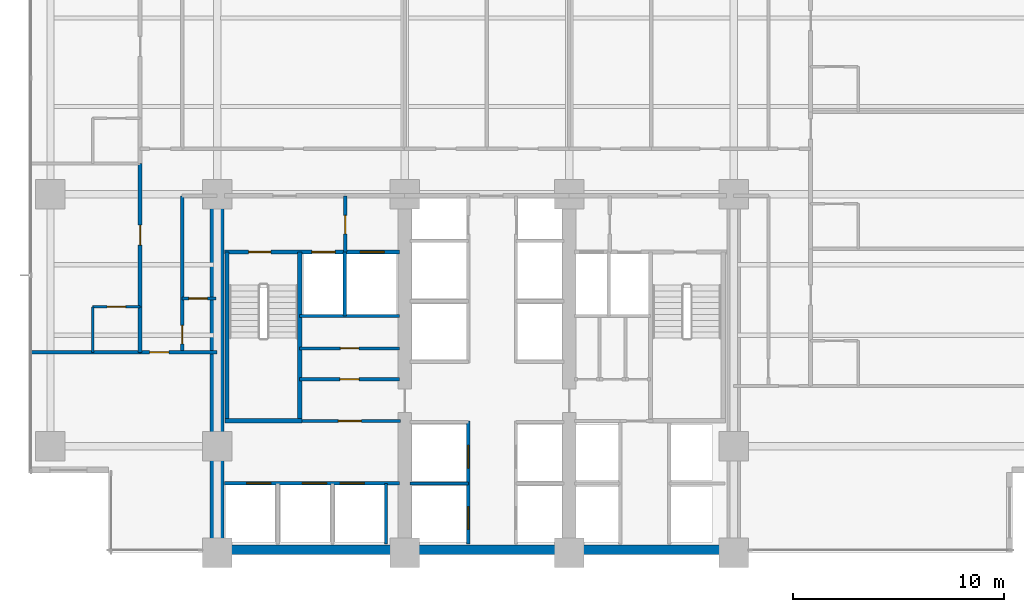
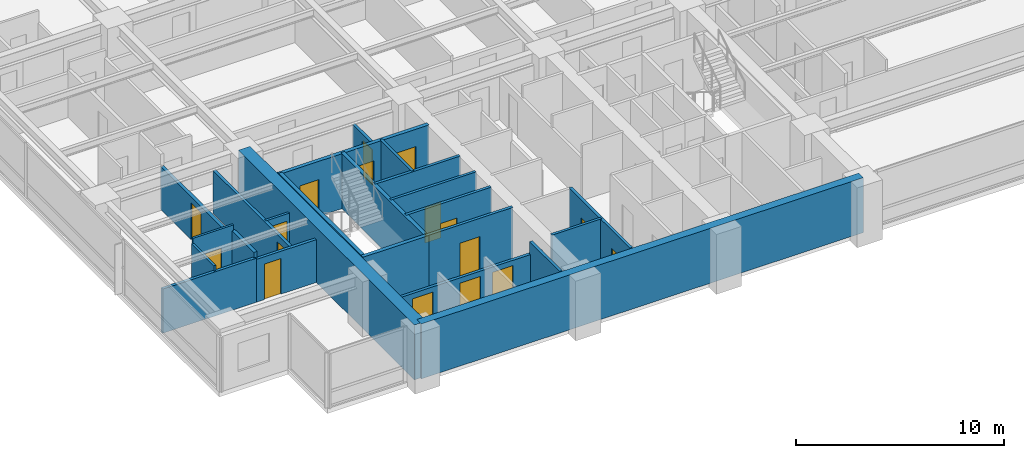
# One storey, part 7 of 16: 24 walls, 17 doors, 17 openings.
"""IFC4 building model written with IfcOpenShell, lengths in metres."""

from ifc_helpers import new_model, si_unit, direction, frame, frame_2d, origin, place, context, subcontext, project, spatial, rectangle, extrude, material, layer, layer_set, type_object, element, fill, save


model = new_model("IFC4")

# Units and contexts
model_context = context("Model", 3, precision=1e-05, world=origin(), true_north=direction((0.0, 1.0)))
body_context = subcontext(model_context, "Body", "Model", "MODEL_VIEW")
ifc_project = project(units=[si_unit("LENGTHUNIT", "METRE"), si_unit("AREAUNIT", "SQUARE_METRE"), si_unit("VOLUMEUNIT", "CUBIC_METRE"), si_unit("PLANEANGLEUNIT", "RADIAN"), si_unit("MASSUNIT", "GRAM", prefix="KILO")], contexts=[model_context])

# Site, building, storey
site_placement = place(None, origin())
site = spatial("IfcSite", under=ifc_project, at=site_placement, CompositionType="ELEMENT")
building_placement = place(site_placement, origin())
building = spatial("IfcBuilding", under=site, at=building_placement, Name="Qalmaran Belvedere Hotel", CompositionType="ELEMENT")
storey_placement = place(building_placement, frame((0.0, 0.0, 50.89990234375)))
storey = spatial("IfcBuildingStorey", under=building, at=storey_placement, Name="L12", CompositionType="ELEMENT", Elevation=50.89990234375)

# Walls
ifc_material_1 = material(Name="Concrete C60/75", Category="concrete")
ifc_layer_1 = layer(ifc_material_1, 0.64990234375, Name="Concrete C60/75")
ifc_layer_set_1 = layer_set([ifc_layer_1], Name="Concrete C60/75")
wall_type_1 = type_object("IfcWallType", Name="WL-CORE-650-C60", PredefinedType="SHEAR", material=ifc_layer_set_1)
wall_1_placement = place(storey_placement, frame((20.300048828125, 3.5, 0.0), z_axis=(0.0, 0.0, 1.0), x_axis=(0.0, 1.0, 0.0)))
element("IfcWall", 1, at=wall_1_placement, inside=storey, type_object=wall_type_1, Name="L12 West Core Shear Wall", PredefinedType="SHEAR", context=body_context, shape_type="SweptSolid", body=[
    extrude(rectangle(XDim=16.89990234375, YDim=0.64990234375, at=frame_2d((8.449951171875, 0.0))), origin(), (0.0, 0.0, 1.0), 3.22021484375),
])
ifc_material_2 = material(Name="Concrete C50/60", Category="concrete")
ifc_layer_2 = layer(ifc_material_2, 0.43994140625, Name="Concrete C50/60")
ifc_layer_set_2 = layer_set([ifc_layer_2], Name="Concrete C50/60")
wall_type_2 = type_object("IfcWallType", Name="WL-CORES-440-EXT", PredefinedType="SHEAR", material=ifc_layer_set_2)
wall_2_placement = place(storey_placement, frame((20.300048828125, 3.6298828125, 0.0), z_axis=(0.0, 0.0, 1.0), x_axis=(1.0, 0.0, 0.0)))
element("IfcWall", 2, at=wall_2_placement, inside=storey, type_object=wall_type_2, Name="L12 South Core Shear Wall", PredefinedType="SHEAR", context=body_context, shape_type="SweptSolid", body=[
    extrude(rectangle(XDim=24.5, YDim=0.43994140625, at=frame_2d((12.25, 0.0))), origin(), (0.0, 0.0, 1.0), 3.22021484375),
])

# Wall, opening, door
ifc_material_3 = material(Name="Moisture-Resistant Gypsum")
ifc_layer_3 = layer(ifc_material_3, 0.1201171875, Name="Moisture-Resistant Gypsum")
ifc_layer_set_3 = layer_set([ifc_layer_3], Name="Moisture-Resistant Gypsum")
wall_type_3 = type_object("IfcWallType", Name="WL-INT-120-BATH", PredefinedType="PARTITIONING", material=ifc_layer_set_3)
wall_3_placement = place(storey_placement, frame((14.39990234375, 15.14990234375, 0.0), z_axis=(0.0, 0.0, 1.0), x_axis=(1.0, 0.0, 0.0)))
wall_3 = element("IfcWall", 3, at=wall_3_placement, inside=storey, type_object=wall_type_3, Name="L12 Partition WL-L12-WBN00", PredefinedType="PARTITIONING", context=body_context, shape_type="SweptSolid", body=[
    extrude(rectangle(XDim=2.25, YDim=0.1201171875, at=frame_2d((1.125, 0.0))), origin(), (0.0, 0.0, 1.0), 3.22021484375),
])
opening_1_placement = place(wall_3_placement, frame((1.56494140625, 0.0, 0.0), z_axis=(0.0, 0.0, 1.0), x_axis=(-1.0, 0.0, 0.0)))
opening_1 = element("IfcOpeningElement", 4, at=opening_1_placement, cuts=wall_3, Name="Opening D-BATH", PredefinedType="OPENING", context=body_context, shape_type="SweptSolid", body=[
    extrude(rectangle(XDim=0.8798828125, YDim=2.080078125, at=frame_2d((0.43994140625, 1.0400390625))), frame((0.0, 0.070068359375, 0.0), z_axis=(0.0, -1.0, 0.0), x_axis=(1.0, 0.0, 0.0)), (0.0, 0.0, 1.0), 0.14013671875),
])
ifc_material_4 = material(Name="Engineered Oak Veneer")
door_type_1 = type_object("IfcDoorType", Name="DR-INT-BATH-880X2080", OperationType="NOTDEFINED", PredefinedType="DOOR", material=ifc_material_4)
door_1_placement = place(opening_1_placement, origin())
door_1 = element("IfcDoor", 5, at=door_1_placement, inside=storey, type_object=door_type_1, Name="L12 W Ensuite Door 01", OperationType="SINGLE_SWING_LEFT", OverallHeight=2.080078125, OverallWidth=0.8798828125, PredefinedType="DOOR", context=body_context, shape_type="SweptSolid", body=[
    extrude(rectangle(XDim=0.8798828125, YDim=2.080078125, at=frame_2d((0.43994140625, 1.0400390625))), frame((0.0, 0.02490234375, 0.0), z_axis=(0.0, -1.0, 0.0), x_axis=(1.0, 0.0, 0.0)), (0.0, 0.0, 1.0), 0.050048828125),
])
fill(opening_1, door_1)

# Wall
wall_4_placement = place(storey_placement, frame((14.39990234375, 13.0, 0.0), z_axis=(0.0, 0.0, 1.0), x_axis=(0.0, 1.0, 0.0)))
element("IfcWall", 6, at=wall_4_placement, inside=storey, type_object=wall_type_3, Name="L12 Partition WL-L12-WBS00", PredefinedType="PARTITIONING", context=body_context, shape_type="SweptSolid", body=[
    extrude(rectangle(XDim=2.14990234375, YDim=0.1201171875, at=frame_2d((1.074951171875, 0.0))), origin(), (0.0, 0.0, 1.0), 2.902099609375),
])

# Wall, opening, door
ifc_material_5 = material(Name="Gypsum Stud Partition")
ifc_layer_4 = layer(ifc_material_5, 0.139892578125, Name="Gypsum Stud Partition")
ifc_layer_set_4 = layer_set([ifc_layer_4], Name="Gypsum Stud Partition")
wall_type_4 = type_object("IfcWallType", Name="WL-INT-140-NR", PredefinedType="PARTITIONING", material=ifc_layer_set_4)
wall_5_placement = place(storey_placement, frame((18.64990234375, 15.550048828125, 0.0), z_axis=(0.0, 0.0, 1.0), x_axis=(1.0, 0.0, 0.0)))
wall_5 = element("IfcWall", 7, at=wall_5_placement, inside=storey, type_object=wall_type_4, Name="L12 Partition WL-L12-WCLSUB", PredefinedType="PARTITIONING", context=body_context, shape_type="SweptSolid", body=[
    extrude(rectangle(XDim=1.60009765625, YDim=0.139892578125, at=frame_2d((0.800048828125, 0.0))), origin(), (0.0, 0.0, 1.0), 2.510009765625),
])
opening_2_placement = place(wall_5_placement, frame((1.193115234375, 0.0, 0.0), z_axis=(0.0, 0.0, 1.0), x_axis=(-1.0, 0.0, 0.0)))
opening_2 = element("IfcOpeningElement", 8, at=opening_2_placement, cuts=wall_5, Name="Opening D-BATH", PredefinedType="OPENING", context=body_context, shape_type="SweptSolid", body=[
    extrude(rectangle(XDim=0.8798828125, YDim=2.080078125, at=frame_2d((0.43994140625, 1.0400390625))), frame((0.0, 0.080078125, 0.0), z_axis=(0.0, -1.0, 0.0), x_axis=(1.0, 0.0, 0.0)), (0.0, 0.0, 1.0), 0.159912109375),
])
door_2_placement = place(opening_2_placement, origin())
door_2 = element("IfcDoor", 9, at=door_2_placement, inside=storey, type_object=door_type_1, Name="L12 Closet Alcove Door", OperationType="SINGLE_SWING_RIGHT", OverallHeight=2.080078125, OverallWidth=0.8798828125, PredefinedType="DOOR", context=body_context, shape_type="SweptSolid", body=[
    extrude(rectangle(XDim=0.8798828125, YDim=2.080078125, at=frame_2d((0.43994140625, 1.0400390625))), frame((0.0, 0.02490234375, 0.0), z_axis=(0.0, -1.0, 0.0), x_axis=(1.0, 0.0, 0.0)), (0.0, 0.0, 1.0), 0.050048828125),
])
fill(opening_2, door_2)

# Walls
ifc_layer_5 = layer(ifc_material_5, 0.14990234375, Name="Gypsum Stud Partition")
ifc_layer_set_5 = layer_set([ifc_layer_5], Name="Gypsum Stud Partition")
wall_type_5 = type_object("IfcWallType", Name="WL-INT-150-EI120", PredefinedType="PARTITIONING", material=ifc_layer_set_5)
wall_6_placement = place(storey_placement, frame((26.360107421875, 14.719970703125, 0.0), z_axis=(0.0, 0.0, 1.0), x_axis=(0.0, 1.0, 0.0)))
element("IfcWall", 10, at=wall_6_placement, inside=storey, type_object=wall_type_5, Name="L12 Partition WL-FF1M-L12", PredefinedType="PARTITIONING", context=body_context, shape_type="SweptSolid", body=[
    extrude(rectangle(XDim=3.0400390625, YDim=0.14990234375, at=frame_2d((1.52001953125, 0.0))), origin(), (0.0, 0.0, 1.0), 3.22021484375),
])
wall_7_placement = place(storey_placement, frame((28.320068359375, 3.89990234375, 0.0), z_axis=(0.0, 0.0, 1.0), x_axis=(0.0, 1.0, 0.0)))
element("IfcWall", 11, at=wall_7_placement, inside=storey, type_object=wall_type_5, Name="L12 Partition WL-POM3-L12", PredefinedType="PARTITIONING", context=body_context, shape_type="SweptSolid", body=[
    extrude(rectangle(XDim=2.880126953125, YDim=0.14990234375, at=frame_2d((1.43994140625, 0.0))), origin(), (0.0, 0.0, 1.0), 3.22021484375),
])
wall_8_placement = place(storey_placement, frame((29.449951171875, 6.780029296875, 0.0), z_axis=(0.0, 0.0, 1.0), x_axis=(1.0, 0.0, 0.0)))
element("IfcWall", 12, at=wall_8_placement, inside=storey, type_object=wall_type_5, Name="L12 Partition WL-PLW-L12-67", PredefinedType="PARTITIONING", context=body_context, shape_type="SweptSolid", body=[
    extrude(rectangle(XDim=2.77001953125, YDim=0.14990234375, at=frame_2d((1.385009765625, 0.0))), origin(), (0.0, 0.0, 1.0), 3.22021484375),
])

# Wall, opening, door
ifc_layer_6 = layer(ifc_material_5, 0.14990234375, Name="Gypsum Stud Partition")
ifc_layer_set_6 = layer_set([ifc_layer_6], Name="Gypsum Stud Partition")
wall_type_6 = type_object("IfcWallType", Name="WL-INT-150-EI60", PredefinedType="PARTITIONING", material=ifc_layer_set_6)
wall_9_placement = place(storey_placement, frame((24.219970703125, 13.18505859375, 0.0), z_axis=(0.0, 0.0, 1.0), x_axis=(1.0, 0.0, 0.0)))
wall_9 = element("IfcWall", 13, at=wall_9_placement, inside=storey, type_object=wall_type_6, Name="L12 Partition WL-L12-KWHM", PredefinedType="PARTITIONING", context=body_context, shape_type="SweptSolid", body=[
    extrude(rectangle(XDim=4.72998046875, YDim=0.14990234375, at=frame_2d((2.364990234375, 0.0))), origin(), (0.0, 0.0, 1.0), 3.22021484375),
])
opening_3_placement = place(wall_9_placement, frame((1.925048828125, 0.0, 0.0)))
opening_3 = element("IfcOpeningElement", 14, at=opening_3_placement, cuts=wall_9, Name="Opening FD60B", PredefinedType="OPENING", context=body_context, shape_type="SweptSolid", body=[
    extrude(rectangle(XDim=0.8798828125, YDim=2.080078125, at=frame_2d((0.43994140625, 1.0400390625))), frame((0.0, 0.0849609375, 0.0), z_axis=(0.0, -1.0, 0.0), x_axis=(1.0, 0.0, 0.0)), (0.0, 0.0, 1.0), 0.169921875),
])
ifc_material_6 = material(Name="Steel S355JR", Category="steel")
door_type_2 = type_object("IfcDoorType", Name="DR-FD60B-880X2080", OperationType="NOTDEFINED", PredefinedType="DOOR", material=ifc_material_6)
door_3_placement = place(opening_3_placement, origin())
door_3 = element("IfcDoor", 15, at=door_3_placement, inside=storey, type_object=door_type_2, Name="L12 Staff Core WC Door", OperationType="SINGLE_SWING_RIGHT", OverallHeight=2.080078125, OverallWidth=0.8798828125, PredefinedType="DOOR", context=body_context, shape_type="SweptSolid", body=[
    extrude(rectangle(XDim=0.8798828125, YDim=2.080078125, at=frame_2d((0.43994140625, 1.0400390625))), frame((0.0, 0.02490234375, 0.0), z_axis=(0.0, -1.0, 0.0), x_axis=(1.0, 0.0, 0.0)), (0.0, 0.0, 1.0), 0.050048828125),
])
fill(opening_3, door_3)

ifc_layer_7 = layer(ifc_material_5, 0.159912109375, Name="Gypsum Stud Partition")
ifc_layer_set_7 = layer_set([ifc_layer_7], Name="Gypsum Stud Partition")
wall_type_7 = type_object("IfcWallType", Name="WL-INT-160-EI120", PredefinedType="PARTITIONING", material=ifc_layer_set_7)
wall_10_placement = place(storey_placement, frame((26.3798828125, 17.760009765625, 0.0), z_axis=(0.0, 0.0, 1.0), x_axis=(0.0, 1.0, 0.0)))
wall_10 = element("IfcWall", 16, at=wall_10_placement, inside=storey, type_object=wall_type_7, Name="L12 Partition WL-FFSV1-L12", PredefinedType="PARTITIONING", context=body_context, shape_type="SweptSolid", body=[
    extrude(rectangle(XDim=2.659912109375, YDim=0.159912109375, at=frame_2d((1.330078125, 0.0))), origin(), (0.0, 0.0, 1.0), 2.510009765625),
])
opening_4_placement = place(wall_10_placement, frame((0.85009765625, 0.0, 0.0)))
opening_4 = element("IfcOpeningElement", 17, at=opening_4_placement, cuts=wall_10, Name="Opening FD60B", PredefinedType="OPENING", context=body_context, shape_type="SweptSolid", body=[
    extrude(rectangle(XDim=0.8798828125, YDim=2.080078125, at=frame_2d((0.43994140625, 1.0400390625))), frame((0.0, 0.08984375, 0.0), z_axis=(0.0, -1.0, 0.0), x_axis=(1.0, 0.0, 0.0)), (0.0, 0.0, 1.0), 0.179931640625),
])
door_4_placement = place(opening_4_placement, origin())
door_4 = element("IfcDoor", 18, at=door_4_placement, inside=storey, type_object=door_type_2, Name="L12 Service Lobby West Door", OperationType="SINGLE_SWING_RIGHT", OverallHeight=2.080078125, OverallWidth=0.8798828125, PredefinedType="DOOR", context=body_context, shape_type="SweptSolid", body=[
    extrude(rectangle(XDim=0.8798828125, YDim=2.080078125, at=frame_2d((0.43994140625, 1.0400390625))), frame((0.0, 0.02490234375, 0.0), z_axis=(0.0, -1.0, 0.0), x_axis=(1.0, 0.0, 0.0)), (0.0, 0.0, 1.0), 0.050048828125),
])
fill(opening_4, door_4)

# Wall
wall_11_placement = place(storey_placement, frame((24.219970703125, 14.719970703125, 0.0), z_axis=(0.0, 0.0, 1.0), x_axis=(1.0, 0.0, 0.0)))
element("IfcWall", 19, at=wall_11_placement, inside=storey, type_object=wall_type_7, Name="L12 Partition WL-FF1S-L12", PredefinedType="PARTITIONING", context=body_context, shape_type="SweptSolid", body=[
    extrude(rectangle(XDim=4.72998046875, YDim=0.159912109375, at=frame_2d((2.364990234375, 0.0))), origin(), (0.0, 0.0, 1.0), 3.22021484375),
])

# Wall, openings, doors
wall_12_placement = place(storey_placement, frame((20.64990234375, 6.780029296875, 0.0), z_axis=(0.0, 0.0, 1.0), x_axis=(1.0, 0.0, 0.0)))
wall_12 = element("IfcWall", 20, at=wall_12_placement, inside=storey, type_object=wall_type_7, Name="L12 Partition WL-POS-L12", PredefinedType="PARTITIONING", context=body_context, shape_type="SweptSolid", body=[
    extrude(rectangle(XDim=8.300048828125, YDim=0.159912109375, at=frame_2d((4.14990234375, 0.0))), origin(), (0.0, 0.0, 1.0), 2.510009765625),
])
opening_5_placement = place(wall_12_placement, frame((3.69482421875, 0.0, 0.0)))
opening_5 = element("IfcOpeningElement", 21, at=opening_5_placement, cuts=wall_12, Name="Opening LD-PO", PredefinedType="OPENING", context=body_context, shape_type="SweptSolid", body=[
    extrude(rectangle(XDim=1.14990234375, YDim=2.199951171875, at=frame_2d((0.574951171875, 1.10009765625))), frame((0.0, 0.08984375, 0.0), z_axis=(0.0, -1.0, 0.0), x_axis=(1.0, 0.0, 0.0)), (0.0, 0.0, 1.0), 0.179931640625),
])
opening_6_placement = place(wall_12_placement, frame((5.4921875, 0.0, 0.0)))
opening_6 = element("IfcOpeningElement", 22, at=opening_6_placement, cuts=wall_12, Name="Opening LD-PO", PredefinedType="OPENING", context=body_context, shape_type="SweptSolid", body=[
    extrude(rectangle(XDim=1.14990234375, YDim=2.199951171875, at=frame_2d((0.574951171875, 1.10009765625))), frame((0.0, 0.08984375, 0.0), z_axis=(0.0, -1.0, 0.0), x_axis=(1.0, 0.0, 0.0)), (0.0, 0.0, 1.0), 0.179931640625),
])
opening_7_placement = place(wall_12_placement, frame((1.058837890625, 0.0, 0.0)))
opening_7 = element("IfcOpeningElement", 23, at=opening_7_placement, cuts=wall_12, Name="Opening LD-PO", PredefinedType="OPENING", context=body_context, shape_type="SweptSolid", body=[
    extrude(rectangle(XDim=1.14990234375, YDim=2.199951171875, at=frame_2d((0.574951171875, 1.10009765625))), frame((0.0, 0.08984375, 0.0), z_axis=(0.0, -1.0, 0.0), x_axis=(1.0, 0.0, 0.0)), (0.0, 0.0, 1.0), 0.179931640625),
])
ifc_material_7 = material(Name="Anodised Bronze Aluminium", Category="aluminium")
door_type_3 = type_object("IfcDoorType", Name="DR-LIFT-PO-1150X2200", OperationType="DOUBLE_DOOR_SLIDING", PredefinedType="DOOR", material=ifc_material_7)
door_5_placement = place(opening_5_placement, origin())
door_5 = element("IfcDoor", 24, at=door_5_placement, inside=storey, type_object=door_type_3, Name="L12 PO1 Shuttle Landing Door", OperationType="DOUBLE_DOOR_SLIDING", OverallHeight=2.199951171875, OverallWidth=1.14990234375, PredefinedType="DOOR", context=body_context, shape_type="SweptSolid", body=[
    extrude(rectangle(XDim=1.14990234375, YDim=2.199951171875, at=frame_2d((0.574951171875, 1.10009765625))), frame((0.0, 0.02490234375, 0.0), z_axis=(0.0, -1.0, 0.0), x_axis=(1.0, 0.0, 0.0)), (0.0, 0.0, 1.0), 0.050048828125),
])
fill(opening_5, door_5)
door_6_placement = place(opening_6_placement, origin())
door_6 = element("IfcDoor", 25, at=door_6_placement, inside=storey, type_object=door_type_3, Name="L12 PO2 Shuttle Landing Door", OperationType="DOUBLE_DOOR_SLIDING", OverallHeight=2.199951171875, OverallWidth=1.14990234375, PredefinedType="DOOR", context=body_context, shape_type="SweptSolid", body=[
    extrude(rectangle(XDim=1.14990234375, YDim=2.199951171875, at=frame_2d((0.574951171875, 1.10009765625))), frame((0.0, 0.02490234375, 0.0), z_axis=(0.0, -1.0, 0.0), x_axis=(1.0, 0.0, 0.0)), (0.0, 0.0, 1.0), 0.050048828125),
])
fill(opening_6, door_6)
door_7_placement = place(opening_7_placement, origin())
door_7 = element("IfcDoor", 26, at=door_7_placement, inside=storey, type_object=door_type_3, Name="L12 PO3 Shuttle Landing Door", OperationType="DOUBLE_DOOR_SLIDING", OverallHeight=2.199951171875, OverallWidth=1.14990234375, PredefinedType="DOOR", context=body_context, shape_type="SweptSolid", body=[
    extrude(rectangle(XDim=1.14990234375, YDim=2.199951171875, at=frame_2d((0.574951171875, 1.10009765625))), frame((0.0, 0.02490234375, 0.0), z_axis=(0.0, -1.0, 0.0), x_axis=(1.0, 0.0, 0.0)), (0.0, 0.0, 1.0), 0.050048828125),
])
fill(opening_7, door_7)

# Wall, opening, door
wall_13_placement = place(storey_placement, frame((24.199951171875, 9.739990234375, 0.0), z_axis=(0.0, 0.0, 1.0), x_axis=(1.0, 0.0, 0.0)))
wall_13 = element("IfcWall", 27, at=wall_13_placement, inside=storey, type_object=wall_type_7, Name="L12 Partition WL-PON-L12", PredefinedType="PARTITIONING", context=body_context, shape_type="SweptSolid", body=[
    extrude(rectangle(XDim=4.800048828125, YDim=0.159912109375, at=frame_2d((2.39990234375, 0.0))), origin(), (0.0, 0.0, 1.0), 3.22021484375),
])
opening_8_placement = place(wall_13_placement, frame((1.85009765625, 0.0, 0.0)))
opening_8 = element("IfcOpeningElement", 28, at=opening_8_placement, cuts=wall_13, Name="Opening FD90", PredefinedType="OPENING", context=body_context, shape_type="SweptSolid", body=[
    extrude(rectangle(XDim=1.10009765625, YDim=2.14990234375, at=frame_2d((0.550048828125, 1.074951171875))), frame((0.0, 0.08984375, 0.0), z_axis=(0.0, -1.0, 0.0), x_axis=(1.0, 0.0, 0.0)), (0.0, 0.0, 1.0), 0.179931640625),
])
door_type_4 = type_object("IfcDoorType", Name="DR-FD90-1100X2150", OperationType="NOTDEFINED", PredefinedType="DOOR", material=ifc_material_6)
door_8_placement = place(opening_8_placement, origin())
door_8 = element("IfcDoor", 29, at=door_8_placement, inside=storey, type_object=door_type_4, Name="L12 Shuttle Lobby Passage Door", OperationType="SINGLE_SWING_RIGHT", OverallHeight=2.14990234375, OverallWidth=1.10009765625, PredefinedType="DOOR", context=body_context, shape_type="SweptSolid", body=[
    extrude(rectangle(XDim=1.10009765625, YDim=2.14990234375, at=frame_2d((0.550048828125, 1.074951171875))), frame((0.0, 0.02490234375, 0.0), z_axis=(0.0, -1.0, 0.0), x_axis=(1.0, 0.0, 0.0)), (0.0, 0.0, 1.0), 0.050048828125),
])
fill(opening_8, door_8)

# Wall, openings, doors
wall_14_placement = place(storey_placement, frame((32.219970703125, 3.89990234375, 0.0), z_axis=(0.0, 0.0, 1.0), x_axis=(0.0, 1.0, 0.0)))
wall_14 = element("IfcWall", 30, at=wall_14_placement, inside=storey, type_object=wall_type_7, Name="L12 Partition WL-CLBWS-L12", PredefinedType="PARTITIONING", context=body_context, shape_type="SweptSolid", body=[
    extrude(rectangle(XDim=5.840087890625, YDim=0.159912109375, at=frame_2d((2.919921875, 0.0))), origin(), (0.0, 0.0, 1.0), 3.22021484375),
])
opening_9_placement = place(wall_14_placement, frame((1.780029296875, 0.0, 0.0), z_axis=(0.0, 0.0, 1.0), x_axis=(-1.0, 0.0, 0.0)))
opening_9 = element("IfcOpeningElement", 31, at=opening_9_placement, cuts=wall_14, Name="Opening LD-P1", PredefinedType="OPENING", context=body_context, shape_type="SweptSolid", body=[
    extrude(rectangle(XDim=1.080078125, YDim=2.159912109375, at=frame_2d((0.5400390625, 1.080078125))), frame((0.0, 0.08984375, 0.0), z_axis=(0.0, -1.0, 0.0), x_axis=(1.0, 0.0, 0.0)), (0.0, 0.0, 1.0), 0.179931640625),
])
opening_10_placement = place(wall_14_placement, frame((4.68017578125, 0.0, 0.0), z_axis=(0.0, 0.0, 1.0), x_axis=(-1.0, 0.0, 0.0)))
opening_10 = element("IfcOpeningElement", 32, at=opening_10_placement, cuts=wall_14, Name="Opening LD-P1", PredefinedType="OPENING", context=body_context, shape_type="SweptSolid", body=[
    extrude(rectangle(XDim=1.080078125, YDim=2.159912109375, at=frame_2d((0.5400390625, 1.080078125))), frame((0.0, 0.08984375, 0.0), z_axis=(0.0, -1.0, 0.0), x_axis=(1.0, 0.0, 0.0)), (0.0, 0.0, 1.0), 0.179931640625),
])
ifc_material_8 = material(Name="Stainless Steel 1.4401", Category="steel")
door_type_5 = type_object("IfcDoorType", Name="DR-LIFT-P1-1080X2160", OperationType="DOUBLE_DOOR_SLIDING", PredefinedType="DOOR", material=ifc_material_8)
door_9_placement = place(opening_9_placement, origin())
door_9 = element("IfcDoor", 33, at=door_9_placement, inside=storey, type_object=door_type_5, Name="L12 PL1 Lift Landing Door", OperationType="DOUBLE_DOOR_SLIDING", OverallHeight=2.159912109375, OverallWidth=1.080078125, PredefinedType="DOOR", context=body_context, shape_type="SweptSolid", body=[
    extrude(rectangle(XDim=1.080078125, YDim=2.159912109375, at=frame_2d((0.5400390625, 1.080078125))), frame((0.0, 0.02490234375, 0.0), z_axis=(0.0, -1.0, 0.0), x_axis=(1.0, 0.0, 0.0)), (0.0, 0.0, 1.0), 0.050048828125),
])
fill(opening_9, door_9)
door_10_placement = place(opening_10_placement, origin())
door_10 = element("IfcDoor", 34, at=door_10_placement, inside=storey, type_object=door_type_5, Name="L12 PL2 Lift Landing Door", OperationType="DOUBLE_DOOR_SLIDING", OverallHeight=2.159912109375, OverallWidth=1.080078125, PredefinedType="DOOR", context=body_context, shape_type="SweptSolid", body=[
    extrude(rectangle(XDim=1.080078125, YDim=2.159912109375, at=frame_2d((0.5400390625, 1.080078125))), frame((0.0, 0.02490234375, 0.0), z_axis=(0.0, -1.0, 0.0), x_axis=(1.0, 0.0, 0.0)), (0.0, 0.0, 1.0), 0.050048828125),
])
fill(opening_10, door_10)

# Wall, opening, door
ifc_layer_8 = layer(ifc_material_5, 0.159912109375, Name="Gypsum Stud Partition")
ifc_layer_set_8 = layer_set([ifc_layer_8], Name="Gypsum Stud Partition")
wall_type_8 = type_object("IfcWallType", Name="WL-INT-160-EI60", PredefinedType="PARTITIONING", material=ifc_layer_set_8)
wall_15_placement = place(storey_placement, frame((24.219970703125, 11.719970703125, 0.0), z_axis=(0.0, 0.0, 1.0), x_axis=(1.0, 0.0, 0.0)))
wall_15 = element("IfcWall", 35, at=wall_15_placement, inside=storey, type_object=wall_type_8, Name="L12 Partition WL-L12-KWE1", PredefinedType="PARTITIONING", context=body_context, shape_type="SweptSolid", body=[
    extrude(rectangle(XDim=4.72998046875, YDim=0.159912109375, at=frame_2d((2.364990234375, 0.0))), origin(), (0.0, 0.0, 1.0), 3.22021484375),
])
opening_11_placement = place(wall_15_placement, frame((1.905029296875, 0.0, 0.0)))
opening_11 = element("IfcOpeningElement", 36, at=opening_11_placement, cuts=wall_15, Name="Opening FD60S1", PredefinedType="OPENING", context=body_context, shape_type="SweptSolid", body=[
    extrude(rectangle(XDim=0.919921875, YDim=2.080078125, at=frame_2d((0.4599609375, 1.0400390625))), frame((0.0, 0.08984375, 0.0), z_axis=(0.0, -1.0, 0.0), x_axis=(1.0, 0.0, 0.0)), (0.0, 0.0, 1.0), 0.179931640625),
])
door_type_6 = type_object("IfcDoorType", Name="DR-FD60S-920X2080", OperationType="NOTDEFINED", PredefinedType="DOOR", material=ifc_material_4)
door_11_placement = place(opening_11_placement, origin())
door_11 = element("IfcDoor", 37, at=door_11_placement, inside=storey, type_object=door_type_6, Name="L12 Cleaner Supply Store Door", OperationType="SINGLE_SWING_LEFT", OverallHeight=2.080078125, OverallWidth=0.919921875, PredefinedType="DOOR", context=body_context, shape_type="SweptSolid", body=[
    extrude(rectangle(XDim=0.919921875, YDim=2.080078125, at=frame_2d((0.4599609375, 1.0400390625))), frame((0.0, 0.02490234375, 0.0), z_axis=(0.0, -1.0, 0.0), x_axis=(1.0, 0.0, 0.0)), (0.0, 0.0, 1.0), 0.050048828125),
])
fill(opening_11, door_11)

wall_16_placement = place(storey_placement, frame((16.64990234375, 13.0, 0.0), z_axis=(0.0, 0.0, 1.0), x_axis=(1.0, 0.0, 0.0)))
wall_16 = element("IfcWall", 38, at=wall_16_placement, inside=storey, type_object=wall_type_8, Name="L12 Partition WL-L12-SWRL", PredefinedType="PARTITIONING", context=body_context, shape_type="SweptSolid", body=[
    extrude(rectangle(XDim=3.650146484375, YDim=0.159912109375, at=frame_2d((1.8251953125, 0.0))), origin(), (0.0, 0.0, 1.0), 2.510009765625),
])
opening_12_placement = place(wall_16_placement, frame((1.369873046875, 0.0, 0.0), z_axis=(0.0, 0.0, 1.0), x_axis=(-1.0, 0.0, 0.0)))
opening_12 = element("IfcOpeningElement", 39, at=opening_12_placement, cuts=wall_16, Name="Opening FD60S1", PredefinedType="OPENING", context=body_context, shape_type="SweptSolid", body=[
    extrude(rectangle(XDim=0.919921875, YDim=2.080078125, at=frame_2d((0.4599609375, 1.0400390625))), frame((0.0, 0.08984375, 0.0), z_axis=(0.0, -1.0, 0.0), x_axis=(1.0, 0.0, 0.0)), (0.0, 0.0, 1.0), 0.179931640625),
])
door_12_placement = place(opening_12_placement, origin())
door_12 = element("IfcDoor", 40, at=door_12_placement, inside=storey, type_object=door_type_6, Name="L12 SW Lounge Door", OperationType="SINGLE_SWING_RIGHT", OverallHeight=2.080078125, OverallWidth=0.919921875, PredefinedType="DOOR", context=body_context, shape_type="SweptSolid", body=[
    extrude(rectangle(XDim=0.919921875, YDim=2.080078125, at=frame_2d((0.4599609375, 1.0400390625))), frame((0.0, 0.02490234375, 0.0), z_axis=(0.0, -1.0, 0.0), x_axis=(1.0, 0.0, 0.0)), (0.0, 0.0, 1.0), 0.050048828125),
])
fill(opening_12, door_12)

wall_17_placement = place(storey_placement, frame((18.64990234375, 13.0, 0.0), z_axis=(0.0, 0.0, 1.0), x_axis=(0.0, 1.0, 0.0)))
wall_17 = element("IfcWall", 41, at=wall_17_placement, inside=storey, type_object=wall_type_8, Name="L12 Partition WL-L12-WCL", PredefinedType="PARTITIONING", context=body_context, shape_type="SweptSolid", body=[
    extrude(rectangle(XDim=7.419921875, YDim=0.159912109375, at=frame_2d((3.7099609375, 0.0))), origin(), (0.0, 0.0, 1.0), 2.510009765625),
])
opening_13_placement = place(wall_17_placement, frame((1.27978515625, 0.0, 0.0), z_axis=(0.0, 0.0, 1.0), x_axis=(-1.0, 0.0, 0.0)))
opening_13 = element("IfcOpeningElement", 42, at=opening_13_placement, cuts=wall_17, Name="Opening FD60B", PredefinedType="OPENING", context=body_context, shape_type="SweptSolid", body=[
    extrude(rectangle(XDim=0.8798828125, YDim=2.080078125, at=frame_2d((0.43994140625, 1.0400390625))), frame((0.0, 0.08984375, 0.0), z_axis=(0.0, -1.0, 0.0), x_axis=(1.0, 0.0, 0.0)), (0.0, 0.0, 1.0), 0.179931640625),
])
door_13_placement = place(opening_13_placement, origin())
door_13 = element("IfcDoor", 43, at=door_13_placement, inside=storey, type_object=door_type_2, Name="L12 West Closet Door", OperationType="SINGLE_SWING_RIGHT", OverallHeight=2.080078125, OverallWidth=0.8798828125, PredefinedType="DOOR", context=body_context, shape_type="SweptSolid", body=[
    extrude(rectangle(XDim=0.8798828125, YDim=2.080078125, at=frame_2d((0.43994140625, 1.0400390625))), frame((0.0, 0.02490234375, 0.0), z_axis=(0.0, -1.0, 0.0), x_axis=(1.0, 0.0, 0.0)), (0.0, 0.0, 1.0), 0.050048828125),
])
fill(opening_13, door_13)

# Walls
wall_18_placement = place(storey_placement, frame((11.469970703125, 13.0, 0.0), z_axis=(0.0, 0.0, 1.0), x_axis=(1.0, 0.0, 0.0)))
element("IfcWall", 44, at=wall_18_placement, inside=storey, type_object=wall_type_8, Name="L12 Partition WL-L12-WBOT", PredefinedType="PARTITIONING", context=body_context, shape_type="SweptSolid", body=[
    extrude(rectangle(XDim=5.179931640625, YDim=0.159912109375, at=frame_2d((2.58984375, 0.0))), origin(), (0.0, 0.0, 1.0), 2.5830078125),
])
ifc_layer_9 = layer(ifc_material_5, 0.179931640625, Name="Gypsum Stud Partition")
ifc_layer_set_9 = layer_set([ifc_layer_9], Name="Gypsum Stud Partition")
wall_type_9 = type_object("IfcWallType", Name="WL-INT-180-EI60", PredefinedType="PARTITIONING", material=ifc_layer_set_9)
wall_19_placement = place(storey_placement, frame((16.64990234375, 13.0, 0.0), z_axis=(0.0, 0.0, 1.0), x_axis=(0.0, 1.0, 0.0)))
element("IfcWall", 45, at=wall_19_placement, inside=storey, type_object=wall_type_9, Name="L12 Partition WL-L12-WBC00", PredefinedType="PARTITIONING", context=body_context, shape_type="SweptSolid", body=[
    extrude(rectangle(XDim=2.14990234375, YDim=0.179931640625, at=frame_2d((1.074951171875, 0.0))), origin(), (0.0, 0.0, 1.0), 2.902099609375),
])

# Wall, opening, door
wall_20_placement = place(storey_placement, frame((16.64990234375, 15.14990234375, 0.0), z_axis=(0.0, 0.0, 1.0), x_axis=(0.0, 1.0, 0.0)))
wall_20 = element("IfcWall", 46, at=wall_20_placement, inside=storey, type_object=wall_type_9, Name="L12 Partition WL-L12-WEC00", PredefinedType="PARTITIONING", context=body_context, shape_type="SweptSolid", body=[
    extrude(rectangle(XDim=6.800048828125, YDim=0.179931640625, at=frame_2d((3.39990234375, 0.0))), origin(), (0.0, 0.0, 1.0), 2.510009765625),
])
opening_14_placement = place(wall_20_placement, frame((2.925048828125, 0.0, 0.0)))
opening_14 = element("IfcOpeningElement", 47, at=opening_14_placement, cuts=wall_20, Name="Opening FD60", PredefinedType="OPENING", context=body_context, shape_type="SweptSolid", body=[
    extrude(rectangle(XDim=0.949951171875, YDim=2.14990234375, at=frame_2d((0.47509765625, 1.074951171875))), frame((0.0, 0.10009765625, 0.0), z_axis=(0.0, -1.0, 0.0), x_axis=(1.0, 0.0, 0.0)), (0.0, 0.0, 1.0), 0.199951171875),
])
door_type_7 = type_object("IfcDoorType", Name="DR-FD60-950X2150", OperationType="NOTDEFINED", PredefinedType="DOOR", material=ifc_material_4)
door_14_placement = place(opening_14_placement, origin())
door_14 = element("IfcDoor", 48, at=door_14_placement, inside=storey, type_object=door_type_7, Name="L12 W Wing Door 01", OperationType="SINGLE_SWING_RIGHT", OverallHeight=2.14990234375, OverallWidth=0.949951171875, PredefinedType="DOOR", context=body_context, shape_type="SweptSolid", body=[
    extrude(rectangle(XDim=0.949951171875, YDim=2.14990234375, at=frame_2d((0.47509765625, 1.074951171875))), frame((0.0, 0.02490234375, 0.0), z_axis=(0.0, -1.0, 0.0), x_axis=(1.0, 0.0, 0.0)), (0.0, 0.0, 1.0), 0.050048828125),
])
fill(opening_14, door_14)

# Walls
ifc_layer_10 = layer(ifc_material_2, 0.2099609375, Name="Concrete C50/60")
ifc_layer_set_10 = layer_set([ifc_layer_10], Name="Concrete C50/60")
wall_type_10 = type_object("IfcWallType", Name="WL-STAIR-210-C50", PredefinedType="SHEAR", material=ifc_layer_set_10)
for number, where, z_axis, x_axis, name in (
    (49, (20.77490234375, 9.7451171875, 0.0), (0.0, 0.0, 1.0), (0.0, 1.0, 0.0), "L12 Stair ST-1 West Bearing Wall"),
    (50, (24.22509765625, 9.7451171875, 0.0), (0.0, 0.0, 1.0), (0.0, 1.0, 0.0), "L12 Stair ST-1 East Bearing Wall"),
):
    element("IfcWall", number, at=place(storey_placement, frame(where, z_axis=z_axis, x_axis=x_axis)), inside=storey, type_object=wall_type_10, Name=name, PredefinedType="SHEAR", context=body_context, shape_type="SweptSolid", body=[
        extrude(rectangle(XDim=8.009765625, YDim=0.2099609375, at=frame_2d((4.0048828125, 0.0))), origin(), (0.0, 0.0, 1.0), 3.22021484375),
    ])
wall_21_placement = place(storey_placement, frame((20.669921875, 9.7451171875, 0.0), z_axis=(0.0, 0.0, 1.0), x_axis=(1.0, 0.0, 0.0)))
element("IfcWall", 51, at=wall_21_placement, inside=storey, type_object=wall_type_10, Name="L12 Stair ST-1 South Bearing Wall", PredefinedType="SHEAR", context=body_context, shape_type="SweptSolid", body=[
    extrude(rectangle(XDim=3.66015625, YDim=0.2099609375, at=frame_2d((1.830078125, 0.0))), origin(), (0.0, 0.0, 1.0), 3.22021484375),
])

# Wall, openings, doors
wall_22_placement = place(storey_placement, frame((20.64990234375, 17.7548828125, 0.0), z_axis=(0.0, 0.0, 1.0), x_axis=(1.0, 0.0, 0.0)))
wall_22 = element("IfcWall", 52, at=wall_22_placement, inside=storey, type_object=wall_type_10, Name="L12 West Lobby and Stair ST-1 North Bearing Wall", PredefinedType="SHEAR", context=body_context, shape_type="SweptSolid", body=[
    extrude(rectangle(XDim=8.300048828125, YDim=0.2099609375, at=frame_2d((4.14990234375, 0.0))), origin(), (0.0, 0.0, 1.0), 3.22021484375),
])
opening_15_placement = place(wall_22_placement, frame((2.199951171875, 0.0, 0.0), z_axis=(0.0, 0.0, 1.0), x_axis=(-1.0, 0.0, 0.0)))
opening_15 = element("IfcOpeningElement", 53, at=opening_15_placement, cuts=wall_22, Name="Opening FD90S2", PredefinedType="OPENING", context=body_context, shape_type="SweptSolid", body=[
    extrude(rectangle(XDim=1.050048828125, YDim=2.14990234375, at=frame_2d((0.52490234375, 1.074951171875))), frame((0.0, 0.114990234375, 0.0), z_axis=(0.0, -1.0, 0.0), x_axis=(1.0, 0.0, 0.0)), (0.0, 0.0, 1.0), 0.22998046875),
])
opening_16_placement = place(wall_22_placement, frame((4.14990234375, 0.0, 0.0)))
opening_16 = element("IfcOpeningElement", 54, at=opening_16_placement, cuts=wall_22, Name="Opening LD-FF", PredefinedType="OPENING", context=body_context, shape_type="SweptSolid", body=[
    extrude(rectangle(XDim=1.10009765625, YDim=2.179931640625, at=frame_2d((0.550048828125, 1.08984375))), frame((0.0, 0.114990234375, 0.0), z_axis=(0.0, -1.0, 0.0), x_axis=(1.0, 0.0, 0.0)), (0.0, 0.0, 1.0), 0.22998046875),
])
opening_17_placement = place(wall_22_placement, frame((6.449951171875, 0.0, 0.0)))
opening_17 = element("IfcOpeningElement", 55, at=opening_17_placement, cuts=wall_22, Name="Opening LD-SV", PredefinedType="OPENING", context=body_context, shape_type="SweptSolid", body=[
    extrude(rectangle(XDim=1.1201171875, YDim=2.199951171875, at=frame_2d((0.56005859375, 1.10009765625))), frame((0.0, 0.114990234375, 0.0), z_axis=(0.0, -1.0, 0.0), x_axis=(1.0, 0.0, 0.0)), (0.0, 0.0, 1.0), 0.22998046875),
])
door_type_8 = type_object("IfcDoorType", Name="DR-FD90S-1050X2150", OperationType="NOTDEFINED", PredefinedType="DOOR", material=ifc_material_6)
door_15_placement = place(opening_15_placement, origin())
door_15 = element("IfcDoor", 56, at=door_15_placement, inside=storey, type_object=door_type_8, Name="L12 Stair ST-1 Door", OperationType="SINGLE_SWING_RIGHT", OverallHeight=2.14990234375, OverallWidth=1.050048828125, PredefinedType="DOOR", context=body_context, shape_type="SweptSolid", body=[
    extrude(rectangle(XDim=1.050048828125, YDim=2.14990234375, at=frame_2d((0.52490234375, 1.074951171875))), frame((0.0, 0.02490234375, 0.0), z_axis=(0.0, -1.0, 0.0), x_axis=(1.0, 0.0, 0.0)), (0.0, 0.0, 1.0), 0.050048828125),
])
fill(opening_15, door_15)
door_type_9 = type_object("IfcDoorType", Name="DR-LIFT-FF-1100X2180", OperationType="DOUBLE_DOOR_SLIDING", PredefinedType="DOOR", material=ifc_material_8)
door_16_placement = place(opening_16_placement, origin())
door_16 = element("IfcDoor", 57, at=door_16_placement, inside=storey, type_object=door_type_9, Name="L12 FF1 Lift Landing Door", OperationType="DOUBLE_DOOR_SLIDING", OverallHeight=2.179931640625, OverallWidth=1.10009765625, PredefinedType="DOOR", context=body_context, shape_type="SweptSolid", body=[
    extrude(rectangle(XDim=1.10009765625, YDim=2.179931640625, at=frame_2d((0.550048828125, 1.08984375))), frame((0.0, 0.02490234375, 0.0), z_axis=(0.0, -1.0, 0.0), x_axis=(1.0, 0.0, 0.0)), (0.0, 0.0, 1.0), 0.050048828125),
])
fill(opening_16, door_16)
door_type_10 = type_object("IfcDoorType", Name="DR-LIFT-SV-1120X2200", OperationType="DOUBLE_DOOR_SLIDING", PredefinedType="DOOR", material=ifc_material_8)
door_17_placement = place(opening_17_placement, origin())
door_17 = element("IfcDoor", 58, at=door_17_placement, inside=storey, type_object=door_type_10, Name="L12 SV1 Lift Landing Door", OperationType="DOUBLE_DOOR_SLIDING", OverallHeight=2.199951171875, OverallWidth=1.1201171875, PredefinedType="DOOR", context=body_context, shape_type="SweptSolid", body=[
    extrude(rectangle(XDim=1.1201171875, YDim=2.199951171875, at=frame_2d((0.56005859375, 1.10009765625))), frame((0.0, 0.02490234375, 0.0), z_axis=(0.0, -1.0, 0.0), x_axis=(1.0, 0.0, 0.0)), (0.0, 0.0, 1.0), 0.050048828125),
])
fill(opening_17, door_17)

save(model, "model.ifc")
